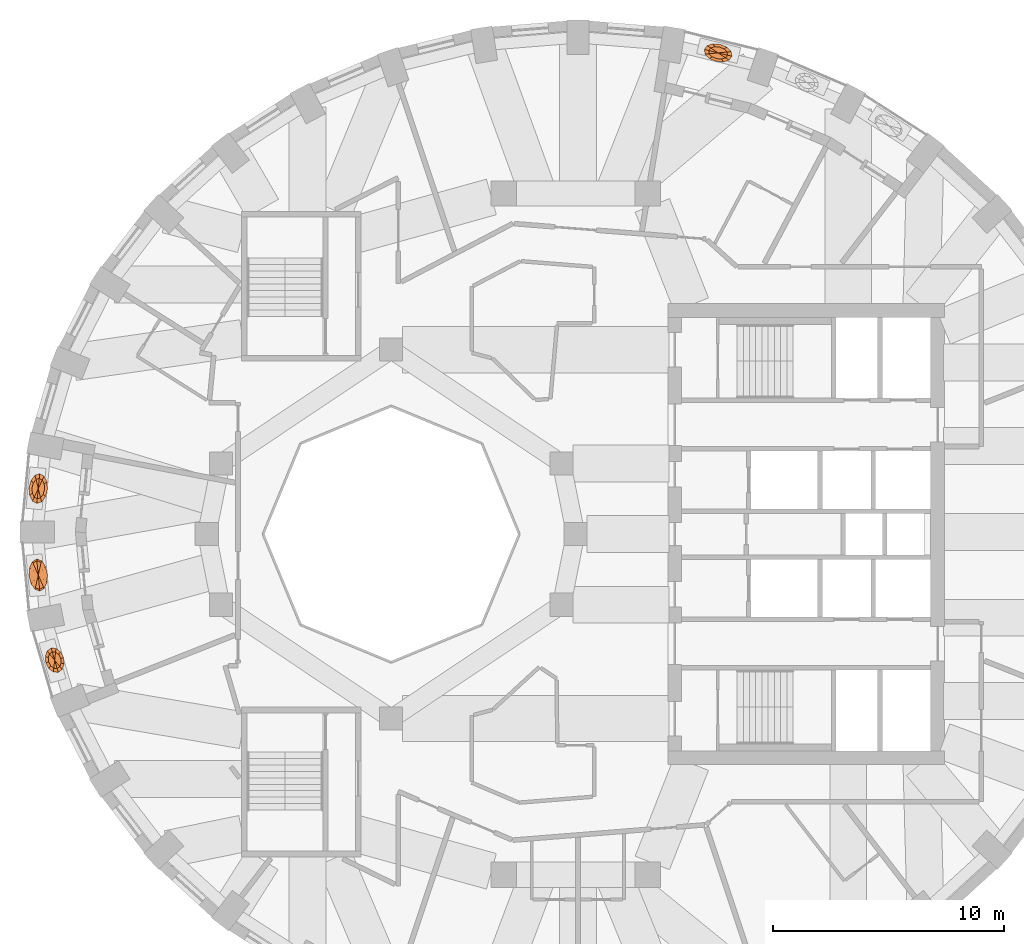
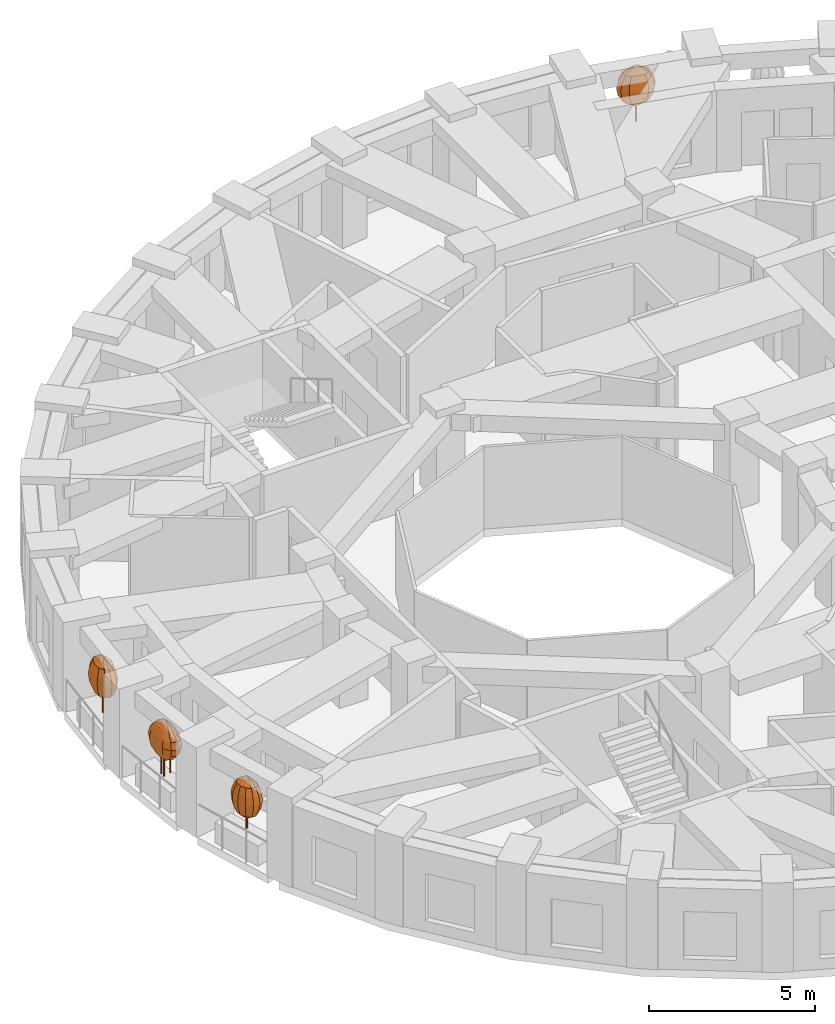
# One storey, part 11 of 12: 4 geographic elements.
"""IFC4 building model written with IfcOpenShell, lengths in metres."""

import ifcopenshell
import ifcopenshell.guid

model = None  # the IFC model being written
_history = None  # IfcOwnerHistory: only IFC2X3 demands one
_inside = {}  # id of a spatial element -> (the spatial element, [elements in it])
_under = {}  # id of a project, library or spatial element -> (it, [spatial elements below it])
_declared = {}  # id of a project -> (the project, [libraries it declares])
_typed = {}  # id of a type object -> (the type object, [elements of that type])
_made_of = {}  # id of a material, layer set ... -> (it, [elements and type objects made of it])


def new_model(schema):
    """Start an empty IFC model of exactly this schema.

    Asked for "IFC4X3", IfcOpenShell would pick the latest addendum, in which some entities
    have other attributes; the version numbers below select the first issue.
    IFC2X3 requires an IfcOwnerHistory on every rooted entity: one is made here for all.
    """
    global model, _history
    if schema == "IFC4X3":
        model = ifcopenshell.file(schema_version=(4, 3, 0, 0))
    else:
        model = ifcopenshell.file(schema=schema)
    _inside.clear()
    _under.clear()
    _declared.clear()
    _typed.clear()
    _made_of.clear()
    _history = None
    if model.schema == "IFC2X3":
        org = make("IfcOrganization", Name="unknown")
        user = make(
            "IfcPersonAndOrganization",
            ThePerson=make("IfcPerson", FamilyName="unknown"),
            TheOrganization=org,
        )
        app = make(
            "IfcApplication",
            ApplicationDeveloper=org,
            Version="unknown",
            ApplicationFullName="unknown",
            ApplicationIdentifier="unknown",
        )
        _history = make(
            "IfcOwnerHistory",
            OwningUser=user,
            OwningApplication=app,
            ChangeAction="ADDED",
            CreationDate=0,
        )
    return model


def make(cls, **values):
    """One entity of the class cls with the attributes given. An attribute that is None is left unset."""
    return model.create_entity(
        cls, **{name: value for name, value in values.items() if value is not None}
    )


def rooted(cls, **values):
    """An entity with a GlobalId (a new one), such as an element, a storey or a relation."""
    return make(cls, GlobalId=ifcopenshell.guid.new(), OwnerHistory=_history, **values)


def si_unit(unit_type, name, prefix=None):
    """IfcSIUnit, for example si_unit("LENGTHUNIT", "METRE", prefix="MILLI")."""
    return make("IfcSIUnit", UnitType=unit_type, Prefix=prefix, Name=name)


def assignment(units):
    """IfcUnitAssignment: the units of a project."""
    return None if units is None else make("IfcUnitAssignment", Units=units)


def point(xyz):
    """IfcCartesianPoint."""
    return None if xyz is None else make("IfcCartesianPoint", Coordinates=xyz)


def direction(xyz):
    """IfcDirection."""
    return None if xyz is None else make("IfcDirection", DirectionRatios=xyz)


def frame(location, z_axis=None, x_axis=None):
    """IfcAxis2Placement3D, a coordinate frame: its origin and axes. An axis left out is left unset."""
    return make(
        "IfcAxis2Placement3D",
        Location=point(location),
        Axis=direction(z_axis),
        RefDirection=direction(x_axis),
    )


def origin():
    """The frame at (0, 0, 0) with its axes left unset."""
    return frame((0.0, 0.0, 0.0))


def place(relative_to, where):
    """IfcLocalPlacement: puts the frame where relative to a parent placement (None: the world)."""
    return make(
        "IfcLocalPlacement", PlacementRelTo=relative_to, RelativePlacement=where
    )


def context(
    kind, dimensions, precision=None, world=None, true_north=None, identifier=None
):
    """IfcGeometricRepresentationContext, for example the 3D "Model" context."""
    return make(
        "IfcGeometricRepresentationContext",
        ContextIdentifier=identifier,
        ContextType=kind,
        CoordinateSpaceDimension=dimensions,
        Precision=precision,
        WorldCoordinateSystem=world,
        TrueNorth=true_north,
    )


def subcontext(parent, identifier, kind, view, scale=None):
    """IfcGeometricRepresentationSubContext, for example "Body" below "Model"."""
    return make(
        "IfcGeometricRepresentationSubContext",
        ContextIdentifier=identifier,
        ContextType=kind,
        ParentContext=parent,
        TargetScale=scale,
        TargetView=view,
    )


def project(units=None, contexts=None):
    """IfcProject with its units and contexts."""
    return rooted(
        "IfcProject",
        Name="project",
        RepresentationContexts=contexts,
        UnitsInContext=assignment(units),
    )


def spatial(cls, under=None, at=None, **own):
    """A site, building, storey or space (cls), placed at a placement, below another one or the project."""
    s = rooted(cls, ObjectPlacement=at, **own)
    if under is not None:
        _under.setdefault(under.id(), (under, []))[1].append(s)
    return s


def faces_of(points, faces, orient=None, outer=None):
    """IfcFace entities. A face is a list of loops; a loop is a list of indices into points, from 0.

    orient and outer hold one flag for each loop. By default every Orientation is true, the
    first loop of a face is its IfcFaceOuterBound and the others are IfcFaceBound.
    """
    made = []
    for i, loops in enumerate(faces):
        bounds = []
        for j, loop in enumerate(loops):
            is_outer = j == 0 if outer is None else outer[i][j]
            bounds.append(
                make(
                    "IfcFaceOuterBound" if is_outer else "IfcFaceBound",
                    Bound=make("IfcPolyLoop", Polygon=[points[k] for k in loop]),
                    Orientation=True if orient is None else orient[i][j],
                )
            )
        made.append(make("IfcFace", Bounds=bounds))
    return made


def faceted_brep(points, faces, orient=None, outer=None, voids=None):
    """IfcFacetedBrep: a solid bounded by flat faces; with voids (closed shells), ...WithVoids."""
    shared = [point(p) for p in points]
    hull = make("IfcClosedShell", CfsFaces=faces_of(shared, faces, orient, outer))
    if voids is None:
        return make("IfcFacetedBrep", Outer=hull)
    return make(
        "IfcFacetedBrepWithVoids",
        Outer=hull,
        Voids=[
            make(cls, CfsFaces=faces_of(shared, fs, o, b)) for cls, fs, o, b in voids
        ],
    )


def shape(context_of_items, identifier, shape_type, items):
    """IfcShapeRepresentation: the items that make up one representation, for example the "Body"."""
    return make(
        "IfcShapeRepresentation",
        ContextOfItems=context_of_items,
        RepresentationIdentifier=identifier,
        RepresentationType=shape_type,
        Items=items,
    )


def material(Name=None, Category=None):
    """IfcMaterial."""
    return make("IfcMaterial", Name=Name, Category=Category)


def constituent(of_material, Name=None, Category=None, fraction=None):
    """IfcMaterialConstituent: one of the materials an element consists of."""
    return make(
        "IfcMaterialConstituent",
        Name=Name,
        Material=of_material,
        Fraction=fraction,
        Category=Category,
    )


def constituent_set(constituents=None, Name=None):
    """IfcMaterialConstituentSet."""
    return make(
        "IfcMaterialConstituentSet", Name=Name, MaterialConstituents=constituents
    )


def made_of(thing, what):
    """Note that an element or type object is made of a material, layer set ...; save() writes the relation."""
    if what is not None:
        _made_of.setdefault(what.id(), (what, []))[1].append(thing)
    return thing


def type_object(cls, material=None, **own):
    """A type object (cls), such as IfcWallType, which elements share."""
    return made_of(rooted(cls, **own), material)


def element(
    cls,
    number,
    at=None,
    inside=None,
    cuts=None,
    type_object=None,
    material=None,
    context=None,
    identifier="Body",
    shape_type=None,
    held_by="IfcProductDefinitionShape",
    body=None,
    shapes=None,
    **own,
):
    """One element of the class cls, such as IfcWall. Its Tag is "e" and its number.

    at: its placement. inside: the storey or other place that contains it. cuts: it is an
    opening in that element (IfcRelVoidsElement). A single representation is given by context,
    identifier, shape_type and body (its items); several are given by shapes. held_by: the class
    of the entity that holds the representations. save() writes the other relations.
    """
    e = rooted(cls, Tag="e%d" % number, ObjectPlacement=at, **own)
    if body is not None:
        shapes = [shape(context, identifier, shape_type, body)]
    if shapes is not None:
        e.Representation = make(held_by, Representations=shapes)
    if inside is not None:
        _inside.setdefault(inside.id(), (inside, []))[1].append(e)
    if cuts is not None:
        rooted(
            "IfcRelVoidsElement", RelatingBuildingElement=cuts, RelatedOpeningElement=e
        )
    if type_object is not None:
        _typed.setdefault(type_object.id(), (type_object, []))[1].append(e)
    return made_of(e, material)


def aggregate(whole, parts):
    """IfcRelAggregates: a whole, such as a stair, and the parts it consists of."""
    return rooted("IfcRelAggregates", RelatingObject=whole, RelatedObjects=parts)


def save(model, path):
    """Write the relations noted so far, then the file.

    IfcRelAggregates (storeys below a building ...), IfcRelContainedInSpatialStructure (elements
    in a storey), IfcRelDefinesByType, IfcRelAssociatesMaterial and IfcRelDeclares: one each for
    every whole, place, type object, material and project.
    """
    for whole, parts in _under.values():
        aggregate(whole, parts)
    for where, things in _inside.values():
        rooted(
            "IfcRelContainedInSpatialStructure",
            RelatedElements=things,
            RelatingStructure=where,
        )
    for kind, things in _typed.values():
        rooted("IfcRelDefinesByType", RelatedObjects=things, RelatingType=kind)
    for what, things in _made_of.values():
        rooted("IfcRelAssociatesMaterial", RelatedObjects=things, RelatingMaterial=what)
    for by, libraries in _declared.values():
        rooted("IfcRelDeclares", RelatingContext=by, RelatedDefinitions=libraries)
    model.write(path)


model = new_model("IFC4")

# Units and contexts
model_context = context("Model", 3, precision=1e-05, world=origin(), true_north=direction((0.0, 1.0)))
body_context = subcontext(model_context, "Body", "Model", "MODEL_VIEW")
ifc_project = project(units=[si_unit("LENGTHUNIT", "METRE"), si_unit("AREAUNIT", "SQUARE_METRE"), si_unit("VOLUMEUNIT", "CUBIC_METRE"), si_unit("PLANEANGLEUNIT", "RADIAN"), si_unit("MASSUNIT", "GRAM", prefix="KILO")], contexts=[model_context])

# Site, building, storey
site_placement = place(None, origin())
site = spatial("IfcSite", under=ifc_project, at=site_placement, CompositionType="ELEMENT")
building_placement = place(site_placement, origin())
building = spatial("IfcBuilding", under=site, at=building_placement, Name="Taillehof Tower", CompositionType="ELEMENT")
storey_placement = place(building_placement, frame((0.0, 0.0, 145.10009765625)))
storey = spatial("IfcBuildingStorey", under=building, at=storey_placement, Name="L40", CompositionType="ELEMENT", Elevation=145.10009765625)

# Geographic elements
ifc_material_1 = material(Name="Tree bark", Category="timber")
ifc_constituent_1 = constituent(ifc_material_1, Name="Trunk", Category="timber")
ifc_material_2 = material(Name="Tree foliage")
ifc_constituent_2 = constituent(ifc_material_2, Name="Crown")
ifc_constituent_set_1 = constituent_set(constituents=[ifc_constituent_1, ifc_constituent_2], Name="Tree TR1 Columnar hornbeam")
geographic_element_type_1 = type_object("IfcGeographicElementType", Name="Tree TR1 Columnar hornbeam", PredefinedType="USERDEFINED", material=ifc_constituent_set_1)
geographic_element_1_placement = place(storey_placement, frame((-23.307861328125, 1.97509765625, 0.75)))
element("IfcGeographicElement", 1, at=geographic_element_1_placement, inside=storey, type_object=geographic_element_type_1, Name="Tree TR1 Columnar hornbeam", ObjectType="TREE", PredefinedType="USERDEFINED", context=body_context, shape_type="Brep", body=[
    faceted_brep([(0.030029296875, 0.0, 0.0), (0.021240234375, 0.021240234375, 0.0), (0.021240234375, 0.021240234375, 1.092529296875), (0.030029296875, 0.0, 1.092529296875), (0.0, 0.030029296875, 0.0), (0.0, 0.030029296875, 1.092529296875), (-0.021240234375, 0.021240234375, 0.0), (-0.021240234375, 0.021240234375, 1.092529296875), (-0.030029296875, 0.0, 0.0), (-0.030029296875, 0.0, 1.092529296875), (-0.021240234375, -0.021240234375, 0.0), (-0.021240234375, -0.021240234375, 1.092529296875), (0.0, -0.030029296875, 0.0), (0.0, -0.030029296875, 1.092529296875), (0.021240234375, -0.021240234375, 0.0), (0.021240234375, -0.021240234375, 1.092529296875)], [[[0, 1, 2, 3]], [[1, 4, 5, 2]], [[4, 6, 7, 5]], [[6, 8, 9, 7]], [[8, 10, 11, 9]], [[10, 12, 13, 11]], [[12, 14, 15, 13]], [[14, 0, 3, 15]], [[14, 12, 10, 8, 6, 4, 1, 0]], [[3, 2, 5, 7, 9, 11, 13, 15]]]),
    faceted_brep([(0.0, 0.0, 0.550048828125), (0.099365234375, -0.395751953125, 0.808349609375), (-0.042236328125, -0.44189453125, 0.808349609375), (0.21435546875, -0.243408203125, 0.808349609375), (0.27197265625, -0.026123046875, 0.808349609375), (0.256591796875, 0.198486328125, 0.808349609375), (0.172607421875, 0.36962890625, 0.808349609375), (0.042236328125, 0.44189453125, 0.808349609375), (-0.099365234375, 0.395751953125, 0.808349609375), (-0.21435546875, 0.243408203125, 0.808349609375), (-0.27197265625, 0.026123046875, 0.808349609375), (-0.256591796875, -0.198486328125, 0.808349609375), (-0.172607421875, -0.36962890625, 0.808349609375), (0.134521484375, -0.535400390625, 1.066650390625), (-0.05712890625, -0.597900390625, 1.066650390625), (0.2900390625, -0.329345703125, 1.066650390625), (0.367919921875, -0.03515625, 1.066650390625), (0.34716796875, 0.2685546875, 1.066650390625), (0.2333984375, 0.500244140625, 1.066650390625), (0.05712890625, 0.597900390625, 1.066650390625), (-0.134521484375, 0.535400390625, 1.066650390625), (-0.2900390625, 0.329345703125, 1.066650390625), (-0.367919921875, 0.03515625, 1.066650390625), (-0.34716796875, -0.2685546875, 1.066650390625), (-0.2333984375, -0.500244140625, 1.066650390625), (0.1455078125, -0.579345703125, 1.324951171875), (-0.061767578125, -0.64697265625, 1.324951171875), (0.31396484375, -0.3564453125, 1.324951171875), (0.398193359375, -0.0380859375, 1.324951171875), (0.375732421875, 0.29052734375, 1.324951171875), (0.252685546875, 0.541259765625, 1.324951171875), (0.061767578125, 0.64697265625, 1.324951171875), (-0.1455078125, 0.579345703125, 1.324951171875), (-0.31396484375, 0.3564453125, 1.324951171875), (-0.398193359375, 0.0380859375, 1.324951171875), (-0.375732421875, -0.29052734375, 1.324951171875), (-0.252685546875, -0.541259765625, 1.324951171875), (0.134521484375, -0.535400390625, 1.583251953125), (-0.05712890625, -0.597900390625, 1.583251953125), (0.2900390625, -0.329345703125, 1.583251953125), (0.367919921875, -0.03515625, 1.583251953125), (0.34716796875, 0.2685546875, 1.583251953125), (0.2333984375, 0.500244140625, 1.583251953125), (0.05712890625, 0.597900390625, 1.583251953125), (-0.134521484375, 0.535400390625, 1.583251953125), (-0.2900390625, 0.329345703125, 1.583251953125), (-0.367919921875, 0.03515625, 1.583251953125), (-0.34716796875, -0.2685546875, 1.583251953125), (-0.2333984375, -0.500244140625, 1.583251953125), (0.099365234375, -0.395751953125, 1.841552734375), (-0.042236328125, -0.44189453125, 1.841552734375), (0.21435546875, -0.243408203125, 1.841552734375), (0.27197265625, -0.026123046875, 1.841552734375), (0.256591796875, 0.198486328125, 1.841552734375), (0.172607421875, 0.36962890625, 1.841552734375), (0.042236328125, 0.44189453125, 1.841552734375), (-0.099365234375, 0.395751953125, 1.841552734375), (-0.21435546875, 0.243408203125, 1.841552734375), (-0.27197265625, 0.026123046875, 1.841552734375), (-0.256591796875, -0.198486328125, 1.841552734375), (-0.172607421875, -0.36962890625, 1.841552734375), (0.0, 0.0, 2.10009765625)], [[[0, 1, 2]], [[0, 3, 1]], [[0, 4, 3]], [[0, 5, 4]], [[0, 6, 5]], [[0, 7, 6]], [[0, 8, 7]], [[0, 9, 8]], [[0, 10, 9]], [[0, 11, 10]], [[0, 12, 11]], [[0, 2, 12]], [[2, 1, 13, 14]], [[1, 3, 15, 13]], [[3, 4, 16, 15]], [[4, 5, 17, 16]], [[5, 6, 18, 17]], [[6, 7, 19, 18]], [[7, 8, 20, 19]], [[8, 9, 21, 20]], [[9, 10, 22, 21]], [[10, 11, 23, 22]], [[11, 12, 24, 23]], [[12, 2, 14, 24]], [[14, 13, 25, 26]], [[13, 15, 27, 25]], [[15, 16, 28, 27]], [[16, 17, 29, 28]], [[17, 18, 30, 29]], [[18, 19, 31, 30]], [[19, 20, 32, 31]], [[20, 21, 33, 32]], [[21, 22, 34, 33]], [[22, 23, 35, 34]], [[23, 24, 36, 35]], [[24, 14, 26, 36]], [[26, 25, 37, 38]], [[25, 27, 39, 37]], [[27, 28, 40, 39]], [[28, 29, 41, 40]], [[29, 30, 42, 41]], [[30, 31, 43, 42]], [[31, 32, 44, 43]], [[32, 33, 45, 44]], [[33, 34, 46, 45]], [[34, 35, 47, 46]], [[35, 36, 48, 47]], [[36, 26, 38, 48]], [[38, 37, 49, 50]], [[37, 39, 51, 49]], [[39, 40, 52, 51]], [[40, 41, 53, 52]], [[41, 42, 54, 53]], [[42, 43, 55, 54]], [[43, 44, 56, 55]], [[44, 45, 57, 56]], [[45, 46, 58, 57]], [[46, 47, 59, 58]], [[47, 48, 60, 59]], [[48, 38, 50, 60]], [[50, 49, 61]], [[49, 51, 61]], [[51, 52, 61]], [[52, 53, 61]], [[53, 54, 61]], [[54, 55, 61]], [[55, 56, 61]], [[56, 57, 61]], [[57, 58, 61]], [[58, 59, 61]], [[59, 60, 61]], [[60, 50, 61]]]),
])
geographic_element_2_placement = place(storey_placement, frame((6.179443359375, 20.873779296875, 0.75)))
element("IfcGeographicElement", 2, at=geographic_element_2_placement, inside=storey, type_object=geographic_element_type_1, Name="Tree TR1 Columnar hornbeam", ObjectType="TREE", PredefinedType="USERDEFINED", context=body_context, shape_type="Brep", body=[
    faceted_brep([(0.030029296875, 0.0, 0.0), (0.021240234375, 0.021240234375, 0.0), (0.021240234375, 0.021240234375, 1.092529296875), (0.030029296875, 0.0, 1.092529296875), (0.0, 0.030029296875, 0.0), (0.0, 0.030029296875, 1.092529296875), (-0.021240234375, 0.021240234375, 0.0), (-0.021240234375, 0.021240234375, 1.092529296875), (-0.030029296875, 0.0, 0.0), (-0.030029296875, 0.0, 1.092529296875), (-0.021240234375, -0.021240234375, 0.0), (-0.021240234375, -0.021240234375, 1.092529296875), (0.0, -0.030029296875, 0.0), (0.0, -0.030029296875, 1.092529296875), (0.021240234375, -0.021240234375, 0.0), (0.021240234375, -0.021240234375, 1.092529296875)], [[[0, 1, 2, 3]], [[1, 4, 5, 2]], [[4, 6, 7, 5]], [[6, 8, 9, 7]], [[8, 10, 11, 9]], [[10, 12, 13, 11]], [[12, 14, 15, 13]], [[14, 0, 3, 15]], [[14, 12, 10, 8, 6, 4, 1, 0]], [[3, 2, 5, 7, 9, 11, 13, 15]]]),
    faceted_brep([(0.0, 0.0, 0.550048828125), (-0.3857421875, -0.0390625, 0.808349609375), (-0.40966796875, 0.100341796875, 0.808349609375), (-0.25830078125, -0.168212890625, 0.808349609375), (-0.061767578125, -0.252197265625, 0.808349609375), (0.1513671875, -0.2685546875, 0.808349609375), (0.323974609375, -0.212890625, 0.808349609375), (0.40966796875, -0.100341796875, 0.808349609375), (0.3857421875, 0.0390625, 0.808349609375), (0.25830078125, 0.168212890625, 0.808349609375), (0.061767578125, 0.252197265625, 0.808349609375), (-0.1513671875, 0.2685546875, 0.808349609375), (-0.323974609375, 0.212890625, 0.808349609375), (-0.521728515625, -0.052978515625, 1.066650390625), (-0.55419921875, 0.1357421875, 1.066650390625), (-0.349365234375, -0.227294921875, 1.066650390625), (-0.08349609375, -0.341064453125, 1.066650390625), (0.20458984375, -0.36328125, 1.066650390625), (0.43798828125, -0.2880859375, 1.066650390625), (0.55419921875, -0.1357421875, 1.066650390625), (0.521728515625, 0.052978515625, 1.066650390625), (0.349365234375, 0.227294921875, 1.066650390625), (0.08349609375, 0.341064453125, 1.066650390625), (-0.20458984375, 0.36328125, 1.066650390625), (-0.43798828125, 0.2880859375, 1.066650390625), (-0.564697265625, -0.05712890625, 1.324951171875), (-0.599853515625, 0.14697265625, 1.324951171875), (-0.378173828125, -0.24609375, 1.324951171875), (-0.090576171875, -0.369140625, 1.324951171875), (0.221435546875, -0.39306640625, 1.324951171875), (0.47412109375, -0.311767578125, 1.324951171875), (0.599853515625, -0.14697265625, 1.324951171875), (0.564697265625, 0.05712890625, 1.324951171875), (0.378173828125, 0.24609375, 1.324951171875), (0.090576171875, 0.369140625, 1.324951171875), (-0.221435546875, 0.39306640625, 1.324951171875), (-0.47412109375, 0.311767578125, 1.324951171875), (-0.521728515625, -0.052978515625, 1.583251953125), (-0.55419921875, 0.1357421875, 1.583251953125), (-0.349365234375, -0.227294921875, 1.583251953125), (-0.08349609375, -0.341064453125, 1.583251953125), (0.20458984375, -0.36328125, 1.583251953125), (0.43798828125, -0.2880859375, 1.583251953125), (0.55419921875, -0.1357421875, 1.583251953125), (0.521728515625, 0.052978515625, 1.583251953125), (0.349365234375, 0.227294921875, 1.583251953125), (0.08349609375, 0.341064453125, 1.583251953125), (-0.20458984375, 0.36328125, 1.583251953125), (-0.43798828125, 0.2880859375, 1.583251953125), (-0.3857421875, -0.0390625, 1.841552734375), (-0.40966796875, 0.100341796875, 1.841552734375), (-0.25830078125, -0.168212890625, 1.841552734375), (-0.061767578125, -0.252197265625, 1.841552734375), (0.1513671875, -0.2685546875, 1.841552734375), (0.323974609375, -0.212890625, 1.841552734375), (0.40966796875, -0.100341796875, 1.841552734375), (0.3857421875, 0.0390625, 1.841552734375), (0.25830078125, 0.168212890625, 1.841552734375), (0.061767578125, 0.252197265625, 1.841552734375), (-0.1513671875, 0.2685546875, 1.841552734375), (-0.323974609375, 0.212890625, 1.841552734375), (0.0, 0.0, 2.10009765625)], [[[0, 1, 2]], [[0, 3, 1]], [[0, 4, 3]], [[0, 5, 4]], [[0, 6, 5]], [[0, 7, 6]], [[0, 8, 7]], [[0, 9, 8]], [[0, 10, 9]], [[0, 11, 10]], [[0, 12, 11]], [[0, 2, 12]], [[2, 1, 13, 14]], [[1, 3, 15, 13]], [[3, 4, 16, 15]], [[4, 5, 17, 16]], [[5, 6, 18, 17]], [[6, 7, 19, 18]], [[7, 8, 20, 19]], [[8, 9, 21, 20]], [[9, 10, 22, 21]], [[10, 11, 23, 22]], [[11, 12, 24, 23]], [[12, 2, 14, 24]], [[14, 13, 25, 26]], [[13, 15, 27, 25]], [[15, 16, 28, 27]], [[16, 17, 29, 28]], [[17, 18, 30, 29]], [[18, 19, 31, 30]], [[19, 20, 32, 31]], [[20, 21, 33, 32]], [[21, 22, 34, 33]], [[22, 23, 35, 34]], [[23, 24, 36, 35]], [[24, 14, 26, 36]], [[26, 25, 37, 38]], [[25, 27, 39, 37]], [[27, 28, 40, 39]], [[28, 29, 41, 40]], [[29, 30, 42, 41]], [[30, 31, 43, 42]], [[31, 32, 44, 43]], [[32, 33, 45, 44]], [[33, 34, 46, 45]], [[34, 35, 47, 46]], [[35, 36, 48, 47]], [[36, 26, 38, 48]], [[38, 37, 49, 50]], [[37, 39, 51, 49]], [[39, 40, 52, 51]], [[40, 41, 53, 52]], [[41, 42, 54, 53]], [[42, 43, 55, 54]], [[43, 44, 56, 55]], [[44, 45, 57, 56]], [[45, 46, 58, 57]], [[46, 47, 59, 58]], [[47, 48, 60, 59]], [[48, 38, 50, 60]], [[50, 49, 61]], [[49, 51, 61]], [[51, 52, 61]], [[52, 53, 61]], [[53, 54, 61]], [[54, 55, 61]], [[55, 56, 61]], [[56, 57, 61]], [[57, 58, 61]], [[58, 59, 61]], [[59, 60, 61]], [[60, 50, 61]]]),
])
ifc_material_3 = material(Name="Tree bark", Category="timber")
ifc_constituent_3 = constituent(ifc_material_3, Name="Trunk", Category="timber")
ifc_material_4 = material(Name="Tree foliage")
ifc_constituent_4 = constituent(ifc_material_4, Name="Crown")
ifc_constituent_set_2 = constituent_set(constituents=[ifc_constituent_3, ifc_constituent_4], Name="Tree TR2 Fastigiate yew")
geographic_element_type_2 = type_object("IfcGeographicElementType", Name="Tree TR2 Fastigiate yew", PredefinedType="USERDEFINED", material=ifc_constituent_set_2)
geographic_element_3_placement = place(storey_placement, frame((-22.59619140625, -5.46826171875, 0.75)))
element("IfcGeographicElement", 3, at=geographic_element_3_placement, inside=storey, type_object=geographic_element_type_2, Name="Tree TR2 Fastigiate yew", ObjectType="TREE", PredefinedType="USERDEFINED", context=body_context, shape_type="Brep", body=[
    faceted_brep([(0.034912109375, 0.0, 0.0), (0.024658203125, 0.024658203125, 0.0), (0.024658203125, 0.024658203125, 0.909912109375), (0.034912109375, 0.0, 0.909912109375), (0.0, 0.034912109375, 0.0), (0.0, 0.034912109375, 0.909912109375), (-0.024658203125, 0.024658203125, 0.0), (-0.024658203125, 0.024658203125, 0.909912109375), (-0.034912109375, 0.0, 0.0), (-0.034912109375, 0.0, 0.909912109375), (-0.024658203125, -0.024658203125, 0.0), (-0.024658203125, -0.024658203125, 0.909912109375), (0.0, -0.034912109375, 0.0), (0.0, -0.034912109375, 0.909912109375), (0.024658203125, -0.024658203125, 0.0), (0.024658203125, -0.024658203125, 0.909912109375)], [[[0, 1, 2, 3]], [[1, 4, 5, 2]], [[4, 6, 7, 5]], [[6, 8, 9, 7]], [[8, 10, 11, 9]], [[10, 12, 13, 11]], [[12, 14, 15, 13]], [[14, 0, 3, 15]], [[14, 12, 10, 8, 6, 4, 1, 0]], [[3, 2, 5, 7, 9, 11, 13, 15]]]),
    faceted_brep([(0.0, 0.0, 0.35009765625), (0.22265625, -0.27392578125, 0.61669921875), (0.105712890625, -0.360595703125, 0.61669921875), (0.27978515625, -0.11376953125, 0.61669921875), (0.26220703125, 0.076904296875, 0.61669921875), (0.17431640625, 0.246826171875, 0.61669921875), (0.03955078125, 0.3505859375, 0.61669921875), (-0.105712890625, 0.360595703125, 0.61669921875), (-0.22265625, 0.27392578125, 0.61669921875), (-0.27978515625, 0.11376953125, 0.61669921875), (-0.26220703125, -0.076904296875, 0.61669921875), (-0.17431640625, -0.246826171875, 0.61669921875), (-0.03955078125, -0.3505859375, 0.61669921875), (0.301025390625, -0.370361328125, 0.88330078125), (0.142822265625, -0.48779296875, 0.88330078125), (0.378662109375, -0.15380859375, 0.88330078125), (0.354736328125, 0.10400390625, 0.88330078125), (0.23583984375, 0.333740234375, 0.88330078125), (0.0537109375, 0.474365234375, 0.88330078125), (-0.142822265625, 0.48779296875, 0.88330078125), (-0.301025390625, 0.370361328125, 0.88330078125), (-0.378662109375, 0.15380859375, 0.88330078125), (-0.354736328125, -0.10400390625, 0.88330078125), (-0.23583984375, -0.333740234375, 0.88330078125), (-0.0537109375, -0.474365234375, 0.88330078125), (0.325927734375, -0.40087890625, 1.14990234375), (0.154541015625, -0.52783203125, 1.14990234375), (0.40966796875, -0.16650390625, 1.14990234375), (0.3837890625, 0.112548828125, 1.14990234375), (0.255126953125, 0.361328125, 1.14990234375), (0.05810546875, 0.513427734375, 1.14990234375), (-0.154541015625, 0.52783203125, 1.14990234375), (-0.325927734375, 0.40087890625, 1.14990234375), (-0.40966796875, 0.16650390625, 1.14990234375), (-0.3837890625, -0.112548828125, 1.14990234375), (-0.255126953125, -0.361328125, 1.14990234375), (-0.05810546875, -0.513427734375, 1.14990234375), (0.301025390625, -0.370361328125, 1.416748046875), (0.142822265625, -0.48779296875, 1.416748046875), (0.378662109375, -0.15380859375, 1.416748046875), (0.354736328125, 0.10400390625, 1.416748046875), (0.23583984375, 0.333740234375, 1.416748046875), (0.0537109375, 0.474365234375, 1.416748046875), (-0.142822265625, 0.48779296875, 1.416748046875), (-0.301025390625, 0.370361328125, 1.416748046875), (-0.378662109375, 0.15380859375, 1.416748046875), (-0.354736328125, -0.10400390625, 1.416748046875), (-0.23583984375, -0.333740234375, 1.416748046875), (-0.0537109375, -0.474365234375, 1.416748046875), (0.22265625, -0.27392578125, 1.683349609375), (0.105712890625, -0.360595703125, 1.683349609375), (0.27978515625, -0.11376953125, 1.683349609375), (0.26220703125, 0.076904296875, 1.683349609375), (0.17431640625, 0.246826171875, 1.683349609375), (0.03955078125, 0.3505859375, 1.683349609375), (-0.105712890625, 0.360595703125, 1.683349609375), (-0.22265625, 0.27392578125, 1.683349609375), (-0.27978515625, 0.11376953125, 1.683349609375), (-0.26220703125, -0.076904296875, 1.683349609375), (-0.17431640625, -0.246826171875, 1.683349609375), (-0.03955078125, -0.3505859375, 1.683349609375), (0.0, 0.0, 1.949951171875)], [[[0, 1, 2]], [[0, 3, 1]], [[0, 4, 3]], [[0, 5, 4]], [[0, 6, 5]], [[0, 7, 6]], [[0, 8, 7]], [[0, 9, 8]], [[0, 10, 9]], [[0, 11, 10]], [[0, 12, 11]], [[0, 2, 12]], [[2, 1, 13, 14]], [[1, 3, 15, 13]], [[3, 4, 16, 15]], [[4, 5, 17, 16]], [[5, 6, 18, 17]], [[6, 7, 19, 18]], [[7, 8, 20, 19]], [[8, 9, 21, 20]], [[9, 10, 22, 21]], [[10, 11, 23, 22]], [[11, 12, 24, 23]], [[12, 2, 14, 24]], [[14, 13, 25, 26]], [[13, 15, 27, 25]], [[15, 16, 28, 27]], [[16, 17, 29, 28]], [[17, 18, 30, 29]], [[18, 19, 31, 30]], [[19, 20, 32, 31]], [[20, 21, 33, 32]], [[21, 22, 34, 33]], [[22, 23, 35, 34]], [[23, 24, 36, 35]], [[24, 14, 26, 36]], [[26, 25, 37, 38]], [[25, 27, 39, 37]], [[27, 28, 40, 39]], [[28, 29, 41, 40]], [[29, 30, 42, 41]], [[30, 31, 43, 42]], [[31, 32, 44, 43]], [[32, 33, 45, 44]], [[33, 34, 46, 45]], [[34, 35, 47, 46]], [[35, 36, 48, 47]], [[36, 26, 38, 48]], [[38, 37, 49, 50]], [[37, 39, 51, 49]], [[39, 40, 52, 51]], [[40, 41, 53, 52]], [[41, 42, 54, 53]], [[42, 43, 55, 54]], [[43, 44, 56, 55]], [[44, 45, 57, 56]], [[45, 46, 58, 57]], [[46, 47, 59, 58]], [[47, 48, 60, 59]], [[48, 38, 50, 60]], [[50, 49, 61]], [[49, 51, 61]], [[51, 52, 61]], [[52, 53, 61]], [[53, 54, 61]], [[54, 55, 61]], [[55, 56, 61]], [[56, 57, 61]], [[57, 58, 61]], [[58, 59, 61]], [[59, 60, 61]], [[60, 50, 61]]]),
])
ifc_material_5 = material(Name="Tree bark", Category="timber")
ifc_constituent_5 = constituent(ifc_material_5, Name="Trunk", Category="timber")
ifc_material_6 = material(Name="Tree foliage")
ifc_constituent_6 = constituent(ifc_material_6, Name="Crown")
ifc_constituent_set_3 = constituent_set(constituents=[ifc_constituent_5, ifc_constituent_6], Name="Tree TR3 Multi-stem serviceberry")
geographic_element_type_3 = type_object("IfcGeographicElementType", Name="Tree TR3 Multi-stem serviceberry", PredefinedType="USERDEFINED", material=ifc_constituent_set_3)
geographic_element_4_placement = place(storey_placement, frame((-23.307861328125, -1.775146484375, 0.75)))
element("IfcGeographicElement", 4, at=geographic_element_4_placement, inside=storey, type_object=geographic_element_type_3, Name="Tree TR3 Multi-stem serviceberry", ObjectType="TREE", PredefinedType="USERDEFINED", context=body_context, shape_type="Brep", body=[
    faceted_brep([(0.203857421875, 0.0, 0.0), (0.1953125, 0.0205078125, 0.0), (0.1953125, 0.0205078125, 1.04248046875), (0.203857421875, 0.0, 1.04248046875), (0.175048828125, 0.02880859375, 0.0), (0.175048828125, 0.02880859375, 1.04248046875), (0.154541015625, 0.0205078125, 0.0), (0.154541015625, 0.0205078125, 1.04248046875), (0.146240234375, 0.0, 0.0), (0.146240234375, 0.0, 1.04248046875), (0.154541015625, -0.0205078125, 0.0), (0.154541015625, -0.0205078125, 1.04248046875), (0.175048828125, -0.02880859375, 0.0), (0.175048828125, -0.02880859375, 1.04248046875), (0.1953125, -0.0205078125, 0.0), (0.1953125, -0.0205078125, 1.04248046875)], [[[0, 1, 2, 3]], [[1, 4, 5, 2]], [[4, 6, 7, 5]], [[6, 8, 9, 7]], [[8, 10, 11, 9]], [[10, 12, 13, 11]], [[12, 14, 15, 13]], [[14, 0, 3, 15]], [[14, 12, 10, 8, 6, 4, 1, 0]], [[3, 2, 5, 7, 9, 11, 13, 15]]]),
    faceted_brep([(-0.05859375, 0.086669921875, 0.0), (-0.067138671875, 0.10693359375, 0.0), (-0.067138671875, 0.10693359375, 1.04248046875), (-0.05859375, 0.086669921875, 1.04248046875), (-0.08740234375, 0.115478515625, 0.0), (-0.08740234375, 0.115478515625, 1.04248046875), (-0.10791015625, 0.10693359375, 0.0), (-0.10791015625, 0.10693359375, 1.04248046875), (-0.116455078125, 0.086669921875, 0.0), (-0.116455078125, 0.086669921875, 1.04248046875), (-0.10791015625, 0.066162109375, 0.0), (-0.10791015625, 0.066162109375, 1.04248046875), (-0.08740234375, 0.0576171875, 0.0), (-0.08740234375, 0.0576171875, 1.04248046875), (-0.067138671875, 0.066162109375, 0.0), (-0.067138671875, 0.066162109375, 1.04248046875)], [[[0, 1, 2, 3]], [[1, 4, 5, 2]], [[4, 6, 7, 5]], [[6, 8, 9, 7]], [[8, 10, 11, 9]], [[10, 12, 13, 11]], [[12, 14, 15, 13]], [[14, 0, 3, 15]], [[14, 12, 10, 8, 6, 4, 1, 0]], [[3, 2, 5, 7, 9, 11, 13, 15]]]),
    faceted_brep([(-0.05859375, -0.086669921875, 0.0), (-0.067138671875, -0.066162109375, 0.0), (-0.067138671875, -0.066162109375, 1.04248046875), (-0.05859375, -0.086669921875, 1.04248046875), (-0.08740234375, -0.0576171875, 0.0), (-0.08740234375, -0.0576171875, 1.04248046875), (-0.10791015625, -0.066162109375, 0.0), (-0.10791015625, -0.066162109375, 1.04248046875), (-0.116455078125, -0.086669921875, 0.0), (-0.116455078125, -0.086669921875, 1.04248046875), (-0.10791015625, -0.10693359375, 0.0), (-0.10791015625, -0.10693359375, 1.04248046875), (-0.08740234375, -0.115478515625, 0.0), (-0.08740234375, -0.115478515625, 1.04248046875), (-0.067138671875, -0.10693359375, 0.0), (-0.067138671875, -0.10693359375, 1.04248046875)], [[[0, 1, 2, 3]], [[1, 4, 5, 2]], [[4, 6, 7, 5]], [[6, 8, 9, 7]], [[8, 10, 11, 9]], [[10, 12, 13, 11]], [[12, 14, 15, 13]], [[14, 0, 3, 15]], [[14, 12, 10, 8, 6, 4, 1, 0]], [[3, 2, 5, 7, 9, 11, 13, 15]]]),
    faceted_brep([(0.0, 0.0, 0.5), (0.1474609375, -0.335693359375, 0.75830078125), (0.038330078125, -0.400146484375, 0.75830078125), (0.21728515625, -0.18115234375, 0.75830078125), (0.228759765625, 0.02197265625, 0.75830078125), (0.178955078125, 0.218994140625, 0.75830078125), (0.081298828125, 0.357421875, 0.75830078125), (-0.038330078125, 0.400146484375, 0.75830078125), (-0.1474609375, 0.335693359375, 0.75830078125), (-0.21728515625, 0.18115234375, 0.75830078125), (-0.228759765625, -0.02197265625, 0.75830078125), (-0.178955078125, -0.218994140625, 0.75830078125), (-0.081298828125, -0.357421875, 0.75830078125), (0.22900390625, -0.52099609375, 1.0166015625), (0.059326171875, -0.62109375, 1.0166015625), (0.337158203125, -0.28125, 1.0166015625), (0.35498046875, 0.033935546875, 1.0166015625), (0.277587890625, 0.33984375, 1.0166015625), (0.1259765625, 0.554931640625, 1.0166015625), (-0.059326171875, 0.62109375, 1.0166015625), (-0.22900390625, 0.52099609375, 1.0166015625), (-0.337158203125, 0.28125, 1.0166015625), (-0.35498046875, -0.033935546875, 1.0166015625), (-0.277587890625, -0.33984375, 1.0166015625), (-0.1259765625, -0.554931640625, 1.0166015625), (0.2568359375, -0.58447265625, 1.27490234375), (0.066650390625, -0.69677734375, 1.27490234375), (0.378173828125, -0.3154296875, 1.27490234375), (0.398193359375, 0.0380859375, 1.27490234375), (0.3115234375, 0.38134765625, 1.27490234375), (0.141357421875, 0.62255859375, 1.27490234375), (-0.066650390625, 0.69677734375, 1.27490234375), (-0.2568359375, 0.58447265625, 1.27490234375), (-0.378173828125, 0.3154296875, 1.27490234375), (-0.398193359375, -0.0380859375, 1.27490234375), (-0.3115234375, -0.38134765625, 1.27490234375), (-0.141357421875, -0.62255859375, 1.27490234375), (0.22900390625, -0.52099609375, 1.533447265625), (0.059326171875, -0.62109375, 1.533447265625), (0.337158203125, -0.28125, 1.533447265625), (0.35498046875, 0.033935546875, 1.533447265625), (0.277587890625, 0.33984375, 1.533447265625), (0.1259765625, 0.554931640625, 1.533447265625), (-0.059326171875, 0.62109375, 1.533447265625), (-0.22900390625, 0.52099609375, 1.533447265625), (-0.337158203125, 0.28125, 1.533447265625), (-0.35498046875, -0.033935546875, 1.533447265625), (-0.277587890625, -0.33984375, 1.533447265625), (-0.1259765625, -0.554931640625, 1.533447265625), (0.1474609375, -0.335693359375, 1.791748046875), (0.038330078125, -0.400146484375, 1.791748046875), (0.21728515625, -0.18115234375, 1.791748046875), (0.228759765625, 0.02197265625, 1.791748046875), (0.178955078125, 0.218994140625, 1.791748046875), (0.081298828125, 0.357421875, 1.791748046875), (-0.038330078125, 0.400146484375, 1.791748046875), (-0.1474609375, 0.335693359375, 1.791748046875), (-0.21728515625, 0.18115234375, 1.791748046875), (-0.228759765625, -0.02197265625, 1.791748046875), (-0.178955078125, -0.218994140625, 1.791748046875), (-0.081298828125, -0.357421875, 1.791748046875), (0.0, 0.0, 2.050048828125)], [[[0, 1, 2]], [[0, 3, 1]], [[0, 4, 3]], [[0, 5, 4]], [[0, 6, 5]], [[0, 7, 6]], [[0, 8, 7]], [[0, 9, 8]], [[0, 10, 9]], [[0, 11, 10]], [[0, 12, 11]], [[0, 2, 12]], [[2, 1, 13, 14]], [[1, 3, 15, 13]], [[3, 4, 16, 15]], [[4, 5, 17, 16]], [[5, 6, 18, 17]], [[6, 7, 19, 18]], [[7, 8, 20, 19]], [[8, 9, 21, 20]], [[9, 10, 22, 21]], [[10, 11, 23, 22]], [[11, 12, 24, 23]], [[12, 2, 14, 24]], [[14, 13, 25, 26]], [[13, 15, 27, 25]], [[15, 16, 28, 27]], [[16, 17, 29, 28]], [[17, 18, 30, 29]], [[18, 19, 31, 30]], [[19, 20, 32, 31]], [[20, 21, 33, 32]], [[21, 22, 34, 33]], [[22, 23, 35, 34]], [[23, 24, 36, 35]], [[24, 14, 26, 36]], [[26, 25, 37, 38]], [[25, 27, 39, 37]], [[27, 28, 40, 39]], [[28, 29, 41, 40]], [[29, 30, 42, 41]], [[30, 31, 43, 42]], [[31, 32, 44, 43]], [[32, 33, 45, 44]], [[33, 34, 46, 45]], [[34, 35, 47, 46]], [[35, 36, 48, 47]], [[36, 26, 38, 48]], [[38, 37, 49, 50]], [[37, 39, 51, 49]], [[39, 40, 52, 51]], [[40, 41, 53, 52]], [[41, 42, 54, 53]], [[42, 43, 55, 54]], [[43, 44, 56, 55]], [[44, 45, 57, 56]], [[45, 46, 58, 57]], [[46, 47, 59, 58]], [[47, 48, 60, 59]], [[48, 38, 50, 60]], [[50, 49, 61]], [[49, 51, 61]], [[51, 52, 61]], [[52, 53, 61]], [[53, 54, 61]], [[54, 55, 61]], [[55, 56, 61]], [[56, 57, 61]], [[57, 58, 61]], [[58, 59, 61]], [[59, 60, 61]], [[60, 50, 61]]]),
])

save(model, "model.ifc")
